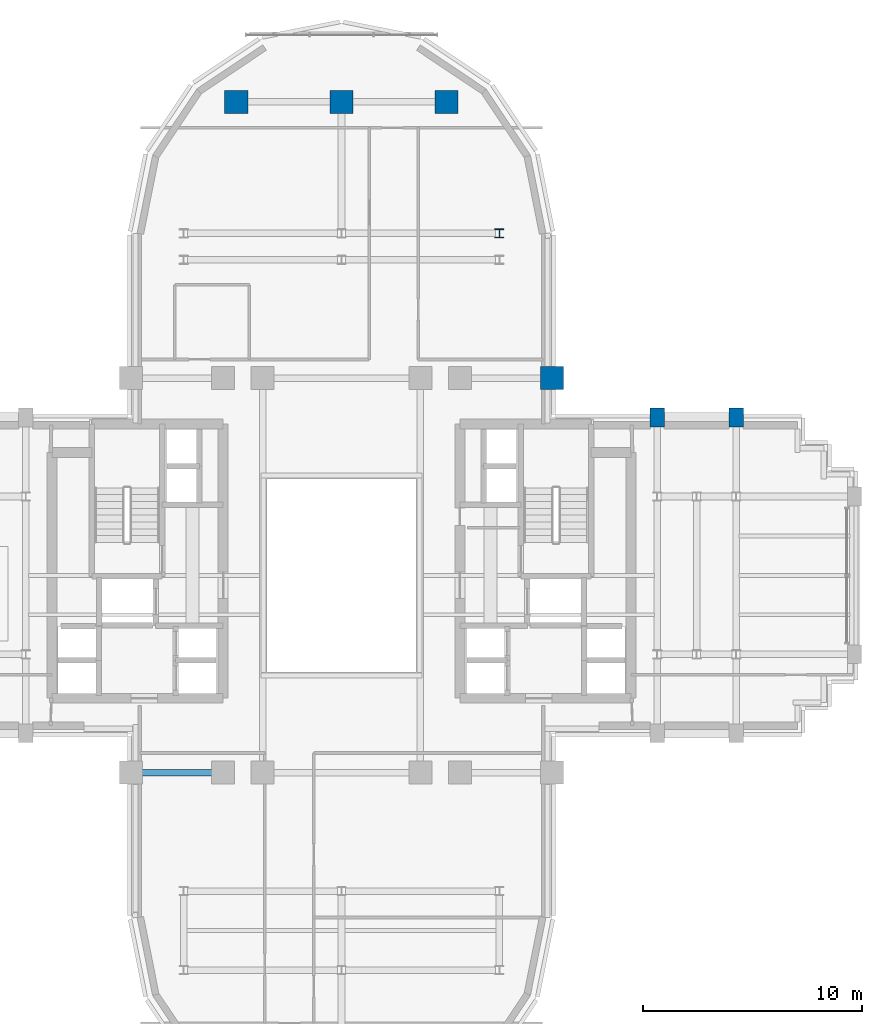
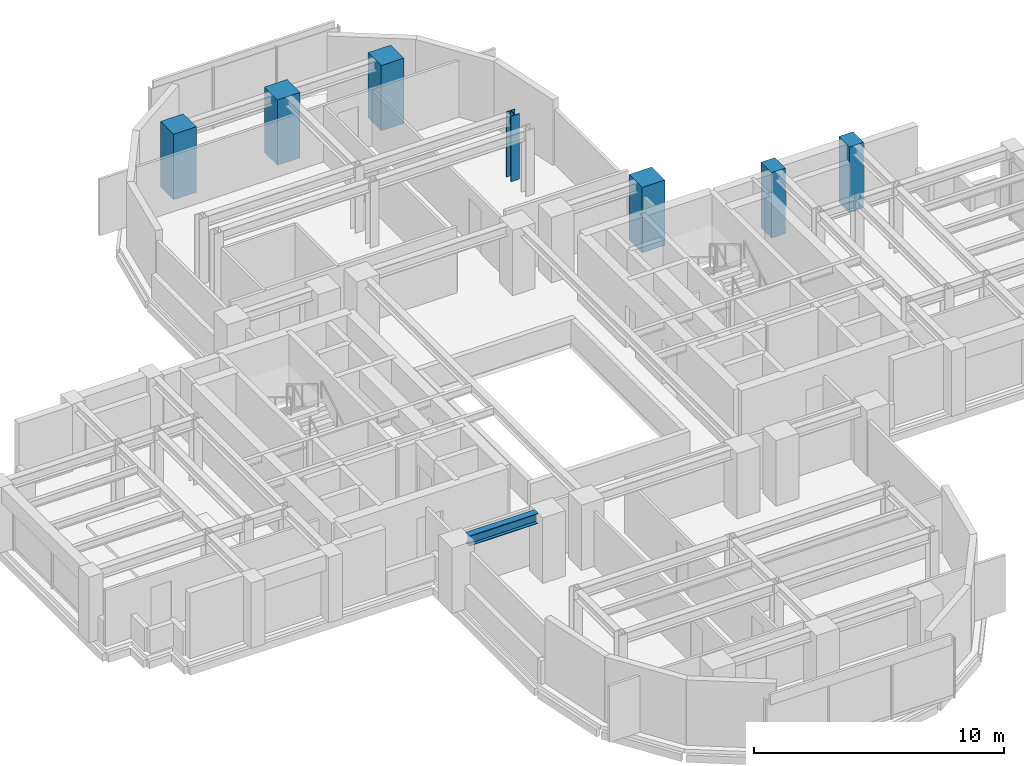
# One storey, part 2 of 13: 7 columns, 1 beam.
"""IFC4 building model written with IfcOpenShell, lengths in metres."""

from ifc_helpers import new_model, si_unit, direction, frame, origin, origin_2d, place, context, subcontext, project, spatial, rectangle, i_section, extrude, source, transform, mapped, material, material_profile, profile_set, type_object, element, save


model = new_model("IFC4")

# Units and contexts
model_context = context("Model", 3, precision=1e-05, world=origin(), true_north=direction((0.0, 1.0)))
body_context = subcontext(model_context, "Body", "Model", "MODEL_VIEW")
ifc_project = project(units=[si_unit("LENGTHUNIT", "METRE"), si_unit("AREAUNIT", "SQUARE_METRE"), si_unit("VOLUMEUNIT", "CUBIC_METRE"), si_unit("PLANEANGLEUNIT", "RADIAN"), si_unit("MASSUNIT", "GRAM", prefix="KILO")], contexts=[model_context])

# Site, building, storey
site_placement = place(None, origin())
site = spatial("IfcSite", under=ifc_project, at=site_placement, CompositionType="ELEMENT")
building_placement = place(site_placement, origin())
building = spatial("IfcBuilding", under=site, at=building_placement, Name="Keilestroom Media Tower", CompositionType="ELEMENT")
storey_placement = place(building_placement, frame((0.0, 0.0, 97.199951171875)))
storey = spatial("IfcBuildingStorey", under=building, at=storey_placement, Name="L25", CompositionType="ELEMENT", Elevation=97.199951171875)

# Columns
ifc_material_1 = material(Name="Precast concrete C40/50", Category="concrete")
ifc_material_profile_1 = material_profile(ifc_material_1, rectangle(XDim=0.64990234375, YDim=0.85009765625, at=origin_2d()), Name="PC 850x650")
ifc_profile_set_1 = profile_set([ifc_material_profile_1], Name="Precast concrete C40/50")
column_type_1 = type_object("IfcColumnType", Name="Structural-Column-PC-850x650", PredefinedType="COLUMN", material=ifc_profile_set_1)
shared_shape_1 = source(origin(), body_context, "Body", "SweptSolid", [
    extrude(rectangle(XDim=0.64990234375, YDim=0.85009765625, at=origin_2d()), origin(), (0.0, 0.0, 1.0), 3.199951171875),
])
for number, where, z_axis, x_axis, name in (
    (1, (14.39990234375, 7.199951171875, 0.0), (0.0, 0.0, 1.0), (1.0, 0.0, 0.0), "L25 Column PC-2 (+14.4,+7.2)"),
    (2, (18.0, 7.199951171875, 0.0), (0.0, 0.0, 1.0), (1.0, 0.0, 0.0), "L25 Column PC-2 (+18.0,+7.2)"),
):
    element("IfcColumn", number, at=place(storey_placement, frame(where, z_axis=z_axis, x_axis=x_axis)), inside=storey, type_object=column_type_1, Name=name, PredefinedType="COLUMN", context=body_context, shape_type="MappedRepresentation", body=[
        mapped(shared_shape_1, transform((0.0, 0.0, 0.0), x_axis=(1.0, 0.0, 0.0), y_axis=(0.0, 1.0, 0.0), z_axis=(0.0, 0.0, 1.0), scale=1.0)),
    ])
ifc_material_2 = material(Name="Steel S355", Category="steel")
ifc_material_profile_2 = material_profile(ifc_material_2, i_section(OverallWidth=0.40087890625, OverallDepth=0.39892578125, WebThickness=0.02001953125, FlangeThickness=0.031982421875, at=origin_2d()), Name="HD 400x314")
ifc_profile_set_2 = profile_set([ifc_material_profile_2], Name="Steel S355")
column_type_2 = type_object("IfcColumnType", Name="Structural-Column-HD-400x314", PredefinedType="COLUMN", material=ifc_profile_set_2)
shared_shape_2 = source(origin(), body_context, "Body", "SweptSolid", [
    extrude(i_section(OverallWidth=0.40087890625, OverallDepth=0.39892578125, WebThickness=0.02001953125, FlangeThickness=0.031982421875, at=origin_2d()), origin(), (0.0, 0.0, 1.0), 3.199951171875),
])
column_placement = place(storey_placement, frame((7.199951171875, 15.60009765625, 0.0), z_axis=(0.0, 0.0, 1.0), x_axis=(1.0, 0.0, 0.0)))
element("IfcColumn", 3, at=column_placement, inside=storey, type_object=column_type_2, Name="L25 Column SC-3 (+7.2,+15.6)", PredefinedType="COLUMN", context=body_context, shape_type="MappedRepresentation", body=[
    mapped(shared_shape_2, transform((0.0, 0.0, 0.0), x_axis=(1.0, 0.0, 0.0), y_axis=(0.0, 1.0, 0.0), z_axis=(0.0, 0.0, 1.0), scale=1.0)),
])
ifc_material_3 = material(Name="Concrete C55/67", Category="concrete")
ifc_material_profile_3 = material_profile(ifc_material_3, rectangle(XDim=1.050048828125, YDim=1.050048828125, at=origin_2d()), Name="RC 1050x1050")
ifc_profile_set_3 = profile_set([ifc_material_profile_3], Name="Concrete C55/67")
column_type_3 = type_object("IfcColumnType", Name="Structural-Column-RC-1050x1050", PredefinedType="COLUMN", material=ifc_profile_set_3)
shared_shape_3 = source(origin(), body_context, "Body", "SweptSolid", [
    extrude(rectangle(XDim=1.050048828125, YDim=1.050048828125, at=origin_2d()), origin(), (0.0, 0.0, 1.0), 3.199951171875),
])
for number, where, z_axis, x_axis, name in (
    (4, (-4.800048828125, 21.60009765625, 0.0), (0.0, 0.0, 1.0), (1.0, 0.0, 0.0), "L25 Column MC-3 (-4.8,+21.6)"),
    (5, (0.0, 21.60009765625, 0.0), (0.0, 0.0, 1.0), (1.0, 0.0, 0.0), "L25 Column MC-3 (+0.0,+21.6)"),
    (6, (4.800048828125, 21.60009765625, 0.0), (0.0, 0.0, 1.0), (1.0, 0.0, 0.0), "L25 Column MC-3 (+4.8,+21.6)"),
    (7, (9.60009765625, 9.0, 0.0), (0.0, 0.0, 1.0), (1.0, 0.0, 0.0), "L25 Column MC-3 (+9.6,+9.0)"),
):
    element("IfcColumn", number, at=place(storey_placement, frame(where, z_axis=z_axis, x_axis=x_axis)), inside=storey, type_object=column_type_3, Name=name, PredefinedType="COLUMN", context=body_context, shape_type="MappedRepresentation", body=[
        mapped(shared_shape_3, transform((0.0, 0.0, 0.0), x_axis=(1.0, 0.0, 0.0), y_axis=(0.0, 1.0, 0.0), z_axis=(0.0, 0.0, 1.0), scale=1.0)),
    ])

# Beam
ifc_material_profile_4 = material_profile(ifc_material_2, i_section(OverallWidth=0.300048828125, OverallDepth=0.5, WebThickness=0.012451171875, FlangeThickness=0.028076171875, at=origin_2d()), Name="HEB 500")
ifc_profile_set_4 = profile_set([ifc_material_profile_4], Name="Steel S355")
beam_type = type_object("IfcBeamType", Name="Primary-Structural-Girder-HEB-500", PredefinedType="BEAM", material=ifc_profile_set_4)
shared_shape_4 = source(origin(), body_context, "Body", "SweptSolid", [
    extrude(i_section(OverallWidth=0.300048828125, OverallDepth=0.5, WebThickness=0.012451171875, FlangeThickness=0.028076171875, at=origin_2d()), origin(), (0.0, 0.0, 1.0), 3.18994140625),
])
beam_placement = place(storey_placement, frame((-9.094970703125, -9.0, 2.949951171875), z_axis=(1.0, 0.0, 0.0), x_axis=(0.0, 1.0, 0.0)))
element("IfcBeam", 8, at=beam_placement, inside=storey, type_object=beam_type, Name="L25 Beam BG-6 BM-L25-EW-007", PredefinedType="BEAM", context=body_context, shape_type="MappedRepresentation", body=[
    mapped(shared_shape_4, transform((0.0, 0.0, 0.0), x_axis=(1.0, 0.0, 0.0), y_axis=(0.0, 1.0, 0.0), z_axis=(0.0, 0.0, 1.0), scale=1.0)),
])

save(model, "model.ifc")
